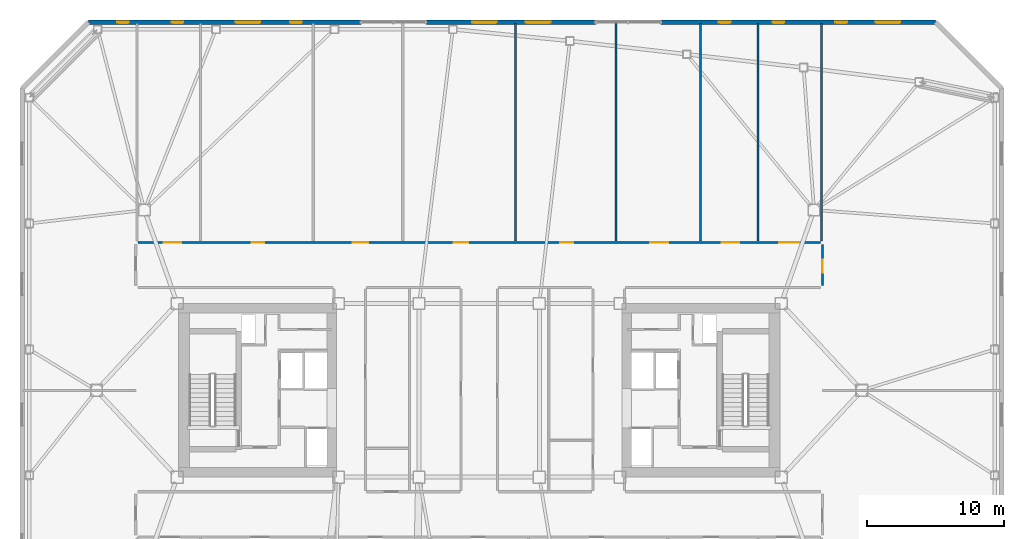
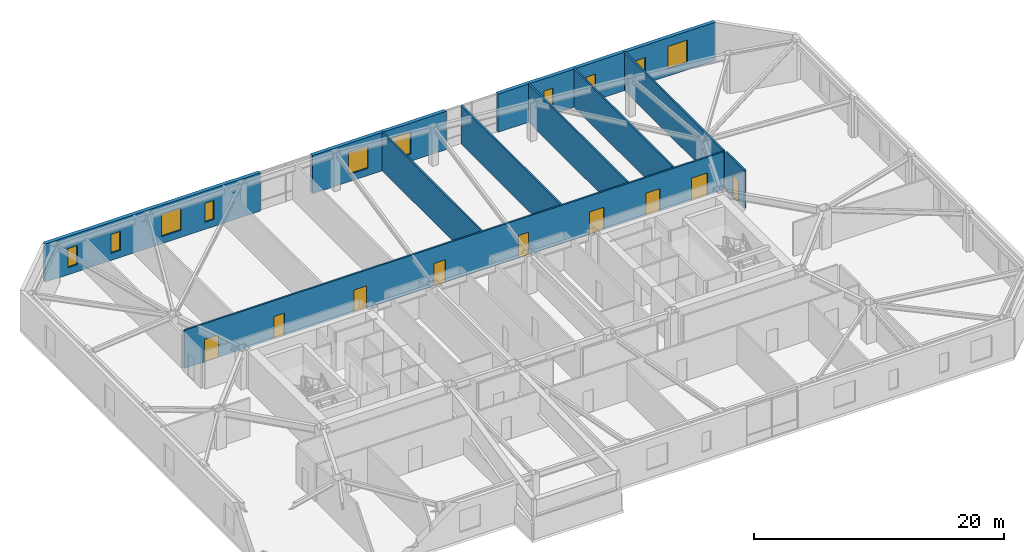
# One storey, part 12 of 17: 10 walls, 10 windows, 9 doors, 19 openings.
"""IFC4 building model written with IfcOpenShell, lengths in metres."""

from ifc_helpers import new_model, si_unit, direction, frame, frame_2d, origin, place, context, subcontext, project, spatial, rectangle, extrude, material, layer, layer_set, type_object, element, fill, save


model = new_model("IFC4")

# Units and contexts
model_context = context("Model", 3, precision=1e-05, world=origin(), true_north=direction((0.0, 1.0)))
body_context = subcontext(model_context, "Body", "Model", "MODEL_VIEW")
ifc_project = project(units=[si_unit("LENGTHUNIT", "METRE"), si_unit("AREAUNIT", "SQUARE_METRE"), si_unit("VOLUMEUNIT", "CUBIC_METRE"), si_unit("PLANEANGLEUNIT", "RADIAN"), si_unit("MASSUNIT", "GRAM", prefix="KILO")], contexts=[model_context])

# Site, building, storey
site_placement = place(None, origin())
site = spatial("IfcSite", under=ifc_project, at=site_placement, CompositionType="ELEMENT")
building_placement = place(site_placement, origin())
building = spatial("IfcBuilding", under=site, at=building_placement, Name="Tavrogorsk Clinical Tower", CompositionType="ELEMENT")
storey_placement = place(building_placement, frame((0.0, 0.0, 160.199951171875)))
storey = spatial("IfcBuildingStorey", under=building, at=storey_placement, Name="L36", CompositionType="ELEMENT", Elevation=160.199951171875)

# Wall, openings, doors
ifc_material_1 = material(Name="Lightweight concrete blockwork B15", Category="masonry")
ifc_layer_1 = layer(ifc_material_1, 0.159912109375)
ifc_layer_set_1 = layer_set([ifc_layer_1], Name="Lightweight concrete blockwork B15")
wall_type_1 = type_object("IfcWallType", Name="PartitionWall_160", PredefinedType="PARTITIONING", material=ifc_layer_set_1)
wall_1_placement = place(storey_placement, frame((-24.965087890625, 10.830078125, 0.0), z_axis=(0.0, 0.0, 1.0), x_axis=(1.0, 0.0, 0.0)))
wall_1 = element("IfcWall", 1, at=wall_1_placement, inside=storey, type_object=wall_type_1, Name="L36 Corridor Partition 07", PredefinedType="PARTITIONING", context=body_context, shape_type="SweptSolid", body=[
    extrude(rectangle(XDim=49.93017578125, YDim=0.159912109375, at=frame_2d((24.965087890625, 0.0))), origin(), (0.0, 0.0, 1.0), 3.739990234375),
])
opening_1_placement = place(wall_1_placement, frame((1.869140625, 0.0, 0.0)))
opening_1 = element("IfcOpeningElement", 2, at=opening_1_placement, cuts=wall_1, Name="Opening ID-01", PredefinedType="OPENING", context=body_context, shape_type="SweptSolid", body=[
    extrude(rectangle(XDim=1.300048828125, YDim=2.199951171875, at=frame_2d((0.64990234375, 1.10009765625))), frame((0.0, 0.08984375, 0.0), z_axis=(0.0, -1.0, 0.0), x_axis=(1.0, 0.0, 0.0)), (0.0, 0.0, 1.0), 0.179931640625),
])
opening_2_placement = place(wall_1_placement, frame((8.304931640625, 0.0, 0.0)))
opening_2 = element("IfcOpeningElement", 3, at=opening_2_placement, cuts=wall_1, Name="Opening ID-02", PredefinedType="OPENING", context=body_context, shape_type="SweptSolid", body=[
    extrude(rectangle(XDim=0.949951171875, YDim=2.199951171875, at=frame_2d((0.47509765625, 1.10009765625))), frame((0.0, 0.08984375, 0.0), z_axis=(0.0, -1.0, 0.0), x_axis=(1.0, 0.0, 0.0)), (0.0, 0.0, 1.0), 0.179931640625),
])
opening_3_placement = place(wall_1_placement, frame((15.705078125, 0.0, 0.0)))
opening_3 = element("IfcOpeningElement", 4, at=opening_3_placement, cuts=wall_1, Name="Opening ID-06", PredefinedType="OPENING", context=body_context, shape_type="SweptSolid", body=[
    extrude(rectangle(XDim=1.14990234375, YDim=2.199951171875, at=frame_2d((0.574951171875, 1.10009765625))), frame((0.0, 0.08984375, 0.0), z_axis=(0.0, -1.0, 0.0), x_axis=(1.0, 0.0, 0.0)), (0.0, 0.0, 1.0), 0.179931640625),
])
opening_4_placement = place(wall_1_placement, frame((23.10009765625, 0.0, 0.0)))
opening_4 = element("IfcOpeningElement", 5, at=opening_4_placement, cuts=wall_1, Name="Opening ID-04", PredefinedType="OPENING", context=body_context, shape_type="SweptSolid", body=[
    extrude(rectangle(XDim=1.050048828125, YDim=2.199951171875, at=frame_2d((0.52490234375, 1.10009765625))), frame((0.0, 0.08984375, 0.0), z_axis=(0.0, -1.0, 0.0), x_axis=(1.0, 0.0, 0.0)), (0.0, 0.0, 1.0), 0.179931640625),
])
opening_5_placement = place(wall_1_placement, frame((30.89990234375, 0.0, 0.0)))
opening_5 = element("IfcOpeningElement", 6, at=opening_5_placement, cuts=wall_1, Name="Opening ID-02", PredefinedType="OPENING", context=body_context, shape_type="SweptSolid", body=[
    extrude(rectangle(XDim=0.949951171875, YDim=2.199951171875, at=frame_2d((0.47509765625, 1.10009765625))), frame((0.0, 0.08984375, 0.0), z_axis=(0.0, -1.0, 0.0), x_axis=(1.0, 0.0, 0.0)), (0.0, 0.0, 1.0), 0.179931640625),
])
opening_6_placement = place(wall_1_placement, frame((37.4951171875, 0.0, 0.0)))
opening_6 = element("IfcOpeningElement", 7, at=opening_6_placement, cuts=wall_1, Name="Opening ID-01", PredefinedType="OPENING", context=body_context, shape_type="SweptSolid", body=[
    extrude(rectangle(XDim=1.300048828125, YDim=2.199951171875, at=frame_2d((0.64990234375, 1.10009765625))), frame((0.0, 0.08984375, 0.0), z_axis=(0.0, -1.0, 0.0), x_axis=(1.0, 0.0, 0.0)), (0.0, 0.0, 1.0), 0.179931640625),
])
opening_7_placement = place(wall_1_placement, frame((42.695068359375, 0.0, 0.0)))
opening_7 = element("IfcOpeningElement", 8, at=opening_7_placement, cuts=wall_1, Name="Opening ID-01", PredefinedType="OPENING", context=body_context, shape_type="SweptSolid", body=[
    extrude(rectangle(XDim=1.300048828125, YDim=2.199951171875, at=frame_2d((0.64990234375, 1.10009765625))), frame((0.0, 0.08984375, 0.0), z_axis=(0.0, -1.0, 0.0), x_axis=(1.0, 0.0, 0.0)), (0.0, 0.0, 1.0), 0.179931640625),
])
opening_8_placement = place(wall_1_placement, frame((46.930908203125, 0.0, 0.0)))
opening_8 = element("IfcOpeningElement", 9, at=opening_8_placement, cuts=wall_1, Name="Opening ID-05", PredefinedType="OPENING", context=body_context, shape_type="SweptSolid", body=[
    extrude(rectangle(XDim=1.449951171875, YDim=2.199951171875, at=frame_2d((0.72509765625, 1.10009765625))), frame((0.0, 0.08984375, 0.0), z_axis=(0.0, -1.0, 0.0), x_axis=(1.0, 0.0, 0.0)), (0.0, 0.0, 1.0), 0.179931640625),
])
ifc_material_2 = material(Name="Antibacterial HPL consultation door on aluminium frame", Category="aluminium")
door_type_1 = type_object("IfcDoorType", Name="ConsultDoor_ID04_1050", OperationType="NOTDEFINED", PredefinedType="DOOR", material=ifc_material_2)
door_1_placement = place(opening_4_placement, origin())
door_1 = element("IfcDoor", 10, at=door_1_placement, inside=storey, type_object=door_type_1, Name="L36 North Patient & Family Quiet Lounge 03A Door", OperationType="SINGLE_SWING_RIGHT", OverallHeight=2.199951171875, OverallWidth=1.050048828125, PredefinedType="DOOR", context=body_context, shape_type="SweptSolid", body=[
    extrude(rectangle(XDim=1.050048828125, YDim=2.199951171875, at=frame_2d((0.52490234375, 1.10009765625))), frame((0.0, 0.02490234375, 0.0), z_axis=(0.0, -1.0, 0.0), x_axis=(1.0, 0.0, 0.0)), (0.0, 0.0, 1.0), 0.050048828125),
])
fill(opening_4, door_1)
ifc_material_3 = material(Name="Antibacterial HPL bariatric ward double door")
door_type_2 = type_object("IfcDoorType", Name="DoubleWardDoor_ID05_1450", OperationType="DOUBLE_SWING_LEFT", PredefinedType="DOOR", material=ifc_material_3)
door_2_placement = place(opening_8_placement, origin())
door_2 = element("IfcDoor", 11, at=door_2_placement, inside=storey, type_object=door_type_2, Name="L36 North Sub-Acute Recovery Ward 05 Door", OperationType="DOUBLE_SWING_LEFT", OverallHeight=2.199951171875, OverallWidth=1.449951171875, PredefinedType="DOOR", context=body_context, shape_type="SweptSolid", body=[
    extrude(rectangle(XDim=1.449951171875, YDim=2.199951171875, at=frame_2d((0.72509765625, 1.10009765625))), frame((0.0, 0.02490234375, 0.0), z_axis=(0.0, -1.0, 0.0), x_axis=(1.0, 0.0, 0.0)), (0.0, 0.0, 1.0), 0.050048828125),
])
fill(opening_8, door_2)
ifc_material_4 = material(Name="Laminated timber leaf on aluminium frame", Category="wood")
door_type_3 = type_object("IfcDoorType", Name="InteriorDoor_ID02_950", OperationType="NOTDEFINED", PredefinedType="DOOR", material=ifc_material_4)
door_3_placement = place(opening_2_placement, origin())
door_3 = element("IfcDoor", 12, at=door_3_placement, inside=storey, type_object=door_type_3, Name="L36 North Physician Consultation Office 02A Door", OperationType="SINGLE_SWING_RIGHT", OverallHeight=2.199951171875, OverallWidth=0.949951171875, PredefinedType="DOOR", context=body_context, shape_type="SweptSolid", body=[
    extrude(rectangle(XDim=0.949951171875, YDim=2.199951171875, at=frame_2d((0.47509765625, 1.10009765625))), frame((0.0, 0.02490234375, 0.0), z_axis=(0.0, -1.0, 0.0), x_axis=(1.0, 0.0, 0.0)), (0.0, 0.0, 1.0), 0.050048828125),
])
fill(opening_2, door_3)
door_4_placement = place(opening_5_placement, origin())
door_4 = element("IfcDoor", 13, at=door_4_placement, inside=storey, type_object=door_type_3, Name="L36 North Physiotherapy Rehab Studio 03B Door", OperationType="SINGLE_SWING_LEFT", OverallHeight=2.199951171875, OverallWidth=0.949951171875, PredefinedType="DOOR", context=body_context, shape_type="SweptSolid", body=[
    extrude(rectangle(XDim=0.949951171875, YDim=2.199951171875, at=frame_2d((0.47509765625, 1.10009765625))), frame((0.0, 0.02490234375, 0.0), z_axis=(0.0, -1.0, 0.0), x_axis=(1.0, 0.0, 0.0)), (0.0, 0.0, 1.0), 0.050048828125),
])
fill(opening_5, door_4)
ifc_material_5 = material(Name="Antibacterial HPL procedure door on aluminium frame", Category="aluminium")
door_type_4 = type_object("IfcDoorType", Name="LabDoor_ID06_1150", OperationType="NOTDEFINED", PredefinedType="DOOR", material=ifc_material_5)
door_5_placement = place(opening_3_placement, origin())
door_5 = element("IfcDoor", 14, at=door_5_placement, inside=storey, type_object=door_type_4, Name="L36 North Diagnostic Ultrasound Suite 02B Door", OperationType="SINGLE_SWING_LEFT", OverallHeight=2.199951171875, OverallWidth=1.14990234375, PredefinedType="DOOR", context=body_context, shape_type="SweptSolid", body=[
    extrude(rectangle(XDim=1.14990234375, YDim=2.199951171875, at=frame_2d((0.574951171875, 1.10009765625))), frame((0.0, 0.02490234375, 0.0), z_axis=(0.0, -1.0, 0.0), x_axis=(1.0, 0.0, 0.0)), (0.0, 0.0, 1.0), 0.050048828125),
])
fill(opening_3, door_5)
ifc_material_6 = material(Name="Antibacterial HPL medical leaf on aluminium frame", Category="aluminium")
door_type_5 = type_object("IfcDoorType", Name="WardBedDoor_ID01_1300", OperationType="NOTDEFINED", PredefinedType="DOOR", material=ifc_material_6)
door_6_placement = place(opening_1_placement, origin())
door_6 = element("IfcDoor", 15, at=door_6_placement, inside=storey, type_object=door_type_5, Name="L36 North Step-Down Telemetry Ward 01 Door", OperationType="SINGLE_SWING_LEFT", OverallHeight=2.199951171875, OverallWidth=1.300048828125, PredefinedType="DOOR", context=body_context, shape_type="SweptSolid", body=[
    extrude(rectangle(XDim=1.300048828125, YDim=2.199951171875, at=frame_2d((0.64990234375, 1.10009765625))), frame((0.0, 0.02490234375, 0.0), z_axis=(0.0, -1.0, 0.0), x_axis=(1.0, 0.0, 0.0)), (0.0, 0.0, 1.0), 0.050048828125),
])
fill(opening_1, door_6)
door_7_placement = place(opening_6_placement, origin())
door_7 = element("IfcDoor", 16, at=door_7_placement, inside=storey, type_object=door_type_5, Name="L36 North Acute Isolation Suite 04A Door", OperationType="SINGLE_SWING_RIGHT", OverallHeight=2.199951171875, OverallWidth=1.300048828125, PredefinedType="DOOR", context=body_context, shape_type="SweptSolid", body=[
    extrude(rectangle(XDim=1.300048828125, YDim=2.199951171875, at=frame_2d((0.64990234375, 1.10009765625))), frame((0.0, 0.02490234375, 0.0), z_axis=(0.0, -1.0, 0.0), x_axis=(1.0, 0.0, 0.0)), (0.0, 0.0, 1.0), 0.050048828125),
])
fill(opening_6, door_7)
door_8_placement = place(opening_7_placement, origin())
door_8 = element("IfcDoor", 17, at=door_8_placement, inside=storey, type_object=door_type_5, Name="L36 North Step-Down Telemetry Ward 04B Door", OperationType="SINGLE_SWING_LEFT", OverallHeight=2.199951171875, OverallWidth=1.300048828125, PredefinedType="DOOR", context=body_context, shape_type="SweptSolid", body=[
    extrude(rectangle(XDim=1.300048828125, YDim=2.199951171875, at=frame_2d((0.64990234375, 1.10009765625))), frame((0.0, 0.02490234375, 0.0), z_axis=(0.0, -1.0, 0.0), x_axis=(1.0, 0.0, 0.0)), (0.0, 0.0, 1.0), 0.050048828125),
])
fill(opening_7, door_8)

# Wall, opening, door
wall_2_placement = place(storey_placement, frame((25.1298828125, 10.6650390625, 0.0), z_axis=(0.0, 0.0, 1.0), x_axis=(0.0, -1.0, 0.0)))
wall_2 = element("IfcWall", 18, at=wall_2_placement, inside=storey, type_object=wall_type_1, Name="L36 Corridor Partition 08", PredefinedType="PARTITIONING", context=body_context, shape_type="SweptSolid", body=[
    extrude(rectangle(XDim=2.97998046875, YDim=0.159912109375, at=frame_2d((1.489990234375, 0.0))), origin(), (0.0, 0.0, 1.0), 3.739990234375),
])
opening_9_placement = place(wall_2_placement, frame((1.10009765625, 0.0, 0.0)))
opening_9 = element("IfcOpeningElement", 19, at=opening_9_placement, cuts=wall_2, Name="Opening ID-02", PredefinedType="OPENING", context=body_context, shape_type="SweptSolid", body=[
    extrude(rectangle(XDim=0.949951171875, YDim=2.199951171875, at=frame_2d((0.47509765625, 1.10009765625))), frame((0.0, 0.08984375, 0.0), z_axis=(0.0, -1.0, 0.0), x_axis=(1.0, 0.0, 0.0)), (0.0, 0.0, 1.0), 0.179931640625),
])
door_9_placement = place(opening_9_placement, origin())
door_9 = element("IfcDoor", 20, at=door_9_placement, inside=storey, type_object=door_type_3, Name="L36 E Multidisciplinary Seminar Suite 2 Door", OperationType="SINGLE_SWING_LEFT", OverallHeight=2.199951171875, OverallWidth=0.949951171875, PredefinedType="DOOR", context=body_context, shape_type="SweptSolid", body=[
    extrude(rectangle(XDim=0.949951171875, YDim=2.199951171875, at=frame_2d((0.47509765625, 1.10009765625))), frame((0.0, 0.02490234375, 0.0), z_axis=(0.0, -1.0, 0.0), x_axis=(1.0, 0.0, 0.0)), (0.0, 0.0, 1.0), 0.050048828125),
])
fill(opening_9, door_9)

# Walls
for number, where, z_axis, x_axis, name in (
    (21, (25.050048828125, 10.9150390625, 0.0), (0.0, 0.0, 1.0), (0.0, 1.0, 0.0), "L36 NE Wing Closure Partition"),
    (22, (10.0, 10.9150390625, 0.0), (0.0, 0.0, 1.0), (0.0, 1.0, 0.0), "L36 North Room Partition 3"),
    (23, (20.39990234375, 10.9150390625, 0.0), (0.0, 0.0, 1.0), (0.0, 1.0, 0.0), "L36 North Room Partition 4"),
    (24, (2.64990234375, 10.9150390625, 0.0), (0.0, 0.0, 1.0), (0.0, 1.0, 0.0), "L36 North Sub-Partition 3"),
    (25, (16.18994140625, 10.9150390625, 0.0), (0.0, 0.0, 1.0), (0.0, 1.0, 0.0), "L36 North Sub-Partition 4"),
):
    element("IfcWall", number, at=place(storey_placement, frame(where, z_axis=z_axis, x_axis=x_axis)), inside=storey, type_object=wall_type_1, Name=name, PredefinedType="PARTITIONING", context=body_context, shape_type="SweptSolid", body=[
        extrude(rectangle(XDim=15.945068359375, YDim=0.159912109375, at=frame_2d((7.97265625, 0.0))), origin(), (0.0, 0.0, 1.0), 3.739990234375),
    ])

# Wall, openings, windows
ifc_material_7 = material(Name="Precast concrete B45 with limestone cladding", Category="masonry")
ifc_layer_2 = layer(ifc_material_7, 0.340087890625)
ifc_layer_set_2 = layer_set([ifc_layer_2], Name="Precast concrete B45 with limestone cladding")
wall_type_2 = type_object("IfcWallType", Name="PrecastLimestoneWall_340", PredefinedType="STANDARD", material=ifc_layer_set_2)
wall_3_placement = place(storey_placement, frame((33.39990234375, 26.929931640625, 0.0), z_axis=(0.0, 0.0, 1.0), x_axis=(-1.0, 0.0, 0.0)))
wall_3 = element("IfcWall", 26, at=wall_3_placement, inside=storey, type_object=wall_type_2, Name="L36 N Limestone Facade Wall 1", PredefinedType="STANDARD", context=body_context, shape_type="SweptSolid", body=[
    extrude(rectangle(XDim=20.08984375, YDim=0.340087890625, at=frame_2d((10.044921875, 0.0))), origin(), (0.0, 0.0, 1.0), 3.739990234375),
])
opening_10_placement = place(wall_3_placement, frame((15.0048828125, 0.0, 0.699951171875)))
opening_10 = element("IfcOpeningElement", 27, at=opening_10_placement, cuts=wall_3, Name="Opening WN-06", PredefinedType="OPENING", context=body_context, shape_type="SweptSolid", body=[
    extrude(rectangle(XDim=0.85009765625, YDim=1.85009765625, at=frame_2d((0.425048828125, 0.925048828125))), frame((0.0, 0.179931640625, 0.0), z_axis=(0.0, -1.0, 0.0), x_axis=(1.0, 0.0, 0.0)), (0.0, 0.0, 1.0), 0.360107421875),
])
opening_11_placement = place(wall_3_placement, frame((11.0712890625, 0.0, 0.699951171875)))
opening_11 = element("IfcOpeningElement", 28, at=opening_11_placement, cuts=wall_3, Name="Opening WN-06", PredefinedType="OPENING", context=body_context, shape_type="SweptSolid", body=[
    extrude(rectangle(XDim=0.85009765625, YDim=1.85009765625, at=frame_2d((0.425048828125, 0.925048828125))), frame((0.0, 0.179931640625, 0.0), z_axis=(0.0, -1.0, 0.0), x_axis=(1.0, 0.0, 0.0)), (0.0, 0.0, 1.0), 0.360107421875),
])
opening_12_placement = place(wall_3_placement, frame((6.479736328125, 0.0, 0.699951171875)))
opening_12 = element("IfcOpeningElement", 29, at=opening_12_placement, cuts=wall_3, Name="Opening WN-06", PredefinedType="OPENING", context=body_context, shape_type="SweptSolid", body=[
    extrude(rectangle(XDim=0.85009765625, YDim=1.85009765625, at=frame_2d((0.425048828125, 0.925048828125))), frame((0.0, 0.179931640625, 0.0), z_axis=(0.0, -1.0, 0.0), x_axis=(1.0, 0.0, 0.0)), (0.0, 0.0, 1.0), 0.360107421875),
])
opening_13_placement = place(wall_3_placement, frame((2.591064453125, 0.0, 0.699951171875)))
opening_13 = element("IfcOpeningElement", 30, at=opening_13_placement, cuts=wall_3, Name="Opening WN-04", PredefinedType="OPENING", context=body_context, shape_type="SweptSolid", body=[
    extrude(rectangle(XDim=1.800048828125, YDim=2.199951171875, at=frame_2d((0.89990234375, 1.10009765625))), frame((0.0, 0.179931640625, 0.0), z_axis=(0.0, -1.0, 0.0), x_axis=(1.0, 0.0, 0.0)), (0.0, 0.0, 1.0), 0.360107421875),
])
ifc_material_8 = material(Name="Thermally broken aluminium frame and triple IGU", Category="aluminium")
window_type_1 = type_object("IfcWindowType", Name="IsolationWin_1800x2200", PartitioningType="SINGLE_PANEL", PredefinedType="WINDOW", material=ifc_material_8)
window_1_placement = place(opening_13_placement, origin())
window_1 = element("IfcWindow", 31, at=window_1_placement, inside=storey, type_object=window_type_1, Name="L36 N Chicago Window 10", OverallHeight=2.199951171875, OverallWidth=1.800048828125, PartitioningType="SINGLE_PANEL", PredefinedType="WINDOW", context=body_context, shape_type="SweptSolid", body=[
    extrude(rectangle(XDim=1.800048828125, YDim=2.199951171875, at=frame_2d((0.89990234375, 1.10009765625))), frame((0.0, 0.030029296875, 0.0), z_axis=(0.0, -1.0, 0.0), x_axis=(1.0, 0.0, 0.0)), (0.0, 0.0, 1.0), 0.06005859375),
])
fill(opening_13, window_1)
ifc_material_9 = material(Name="Thermally broken aluminium frame and triple IGU", Category="aluminium")
window_type_2 = type_object("IfcWindowType", Name="MullionSubWin_850x1850", PartitioningType="SINGLE_PANEL", PredefinedType="WINDOW", material=ifc_material_9)
window_2_placement = place(opening_10_placement, origin())
window_2 = element("IfcWindow", 32, at=window_2_placement, inside=storey, type_object=window_type_2, Name="L36 N Mullion Split Window 07A", OverallHeight=1.85009765625, OverallWidth=0.85009765625, PartitioningType="SINGLE_PANEL", PredefinedType="WINDOW", context=body_context, shape_type="SweptSolid", body=[
    extrude(rectangle(XDim=0.85009765625, YDim=1.85009765625, at=frame_2d((0.425048828125, 0.925048828125))), frame((0.0, 0.030029296875, 0.0), z_axis=(0.0, -1.0, 0.0), x_axis=(1.0, 0.0, 0.0)), (0.0, 0.0, 1.0), 0.06005859375),
])
fill(opening_10, window_2)
window_3_placement = place(opening_11_placement, origin())
window_3 = element("IfcWindow", 33, at=window_3_placement, inside=storey, type_object=window_type_2, Name="L36 N Mullion Split Window 08A", OverallHeight=1.85009765625, OverallWidth=0.85009765625, PartitioningType="SINGLE_PANEL", PredefinedType="WINDOW", context=body_context, shape_type="SweptSolid", body=[
    extrude(rectangle(XDim=0.85009765625, YDim=1.85009765625, at=frame_2d((0.425048828125, 0.925048828125))), frame((0.0, 0.030029296875, 0.0), z_axis=(0.0, -1.0, 0.0), x_axis=(1.0, 0.0, 0.0)), (0.0, 0.0, 1.0), 0.06005859375),
])
fill(opening_11, window_3)
window_4_placement = place(opening_12_placement, origin())
window_4 = element("IfcWindow", 34, at=window_4_placement, inside=storey, type_object=window_type_2, Name="L36 N Mullion Split Window 09A", OverallHeight=1.85009765625, OverallWidth=0.85009765625, PartitioningType="SINGLE_PANEL", PredefinedType="WINDOW", context=body_context, shape_type="SweptSolid", body=[
    extrude(rectangle(XDim=0.85009765625, YDim=1.85009765625, at=frame_2d((0.425048828125, 0.925048828125))), frame((0.0, 0.030029296875, 0.0), z_axis=(0.0, -1.0, 0.0), x_axis=(1.0, 0.0, 0.0)), (0.0, 0.0, 1.0), 0.06005859375),
])
fill(opening_12, window_4)

wall_4_placement = place(storey_placement, frame((8.510009765625, 26.929931640625, 0.0), z_axis=(0.0, 0.0, 1.0), x_axis=(-1.0, 0.0, 0.0)))
wall_4 = element("IfcWall", 35, at=wall_4_placement, inside=storey, type_object=wall_type_2, Name="L36 N Limestone Facade Wall 2", PredefinedType="STANDARD", context=body_context, shape_type="SweptSolid", body=[
    extrude(rectangle(XDim=12.372802734375, YDim=0.340087890625, at=frame_2d((6.1865234375, 0.0))), origin(), (0.0, 0.0, 1.0), 3.739990234375),
])
opening_14_placement = place(wall_4_placement, frame((7.228759765625, 0.0, 0.699951171875)))
opening_14 = element("IfcOpeningElement", 36, at=opening_14_placement, cuts=wall_4, Name="Opening WN-04", PredefinedType="OPENING", context=body_context, shape_type="SweptSolid", body=[
    extrude(rectangle(XDim=1.800048828125, YDim=2.199951171875, at=frame_2d((0.89990234375, 1.10009765625))), frame((0.0, 0.179931640625, 0.0), z_axis=(0.0, -1.0, 0.0), x_axis=(1.0, 0.0, 0.0)), (0.0, 0.0, 1.0), 0.360107421875),
])
opening_15_placement = place(wall_4_placement, frame((3.28857421875, 0.0, 0.699951171875)))
opening_15 = element("IfcOpeningElement", 37, at=opening_15_placement, cuts=wall_4, Name="Opening WN-04", PredefinedType="OPENING", context=body_context, shape_type="SweptSolid", body=[
    extrude(rectangle(XDim=1.800048828125, YDim=2.199951171875, at=frame_2d((0.89990234375, 1.10009765625))), frame((0.0, 0.179931640625, 0.0), z_axis=(0.0, -1.0, 0.0), x_axis=(1.0, 0.0, 0.0)), (0.0, 0.0, 1.0), 0.360107421875),
])
window_5_placement = place(opening_14_placement, origin())
window_5 = element("IfcWindow", 38, at=window_5_placement, inside=storey, type_object=window_type_1, Name="L36 N Chicago Window 05", OverallHeight=2.199951171875, OverallWidth=1.800048828125, PartitioningType="SINGLE_PANEL", PredefinedType="WINDOW", context=body_context, shape_type="SweptSolid", body=[
    extrude(rectangle(XDim=1.800048828125, YDim=2.199951171875, at=frame_2d((0.89990234375, 1.10009765625))), frame((0.0, 0.030029296875, 0.0), z_axis=(0.0, -1.0, 0.0), x_axis=(1.0, 0.0, 0.0)), (0.0, 0.0, 1.0), 0.06005859375),
])
fill(opening_14, window_5)
window_6_placement = place(opening_15_placement, origin())
window_6 = element("IfcWindow", 39, at=window_6_placement, inside=storey, type_object=window_type_1, Name="L36 N Chicago Window 06", OverallHeight=2.199951171875, OverallWidth=1.800048828125, PartitioningType="SINGLE_PANEL", PredefinedType="WINDOW", context=body_context, shape_type="SweptSolid", body=[
    extrude(rectangle(XDim=1.800048828125, YDim=2.199951171875, at=frame_2d((0.89990234375, 1.10009765625))), frame((0.0, 0.030029296875, 0.0), z_axis=(0.0, -1.0, 0.0), x_axis=(1.0, 0.0, 0.0)), (0.0, 0.0, 1.0), 0.06005859375),
])
fill(opening_15, window_6)

wall_5_placement = place(storey_placement, frame((-8.662841796875, 26.929931640625, 0.0), z_axis=(0.0, 0.0, 1.0), x_axis=(-1.0, 0.0, 0.0)))
wall_5 = element("IfcWall", 40, at=wall_5_placement, inside=storey, type_object=wall_type_2, Name="L36 N Limestone Facade Wall 3", PredefinedType="STANDARD", context=body_context, shape_type="SweptSolid", body=[
    extrude(rectangle(XDim=19.937255859375, YDim=0.340087890625, at=frame_2d((9.96875, 0.0))), origin(), (0.0, 0.0, 1.0), 3.739990234375),
])
opening_16_placement = place(wall_5_placement, frame((16.96826171875, 0.0, 0.699951171875)))
opening_16 = element("IfcOpeningElement", 41, at=opening_16_placement, cuts=wall_5, Name="Opening WN-06", PredefinedType="OPENING", context=body_context, shape_type="SweptSolid", body=[
    extrude(rectangle(XDim=0.85009765625, YDim=1.85009765625, at=frame_2d((0.425048828125, 0.925048828125))), frame((0.0, 0.179931640625, 0.0), z_axis=(0.0, -1.0, 0.0), x_axis=(1.0, 0.0, 0.0)), (0.0, 0.0, 1.0), 0.360107421875),
])
opening_17_placement = place(wall_5_placement, frame((12.9833984375, 0.0, 0.699951171875)))
opening_17 = element("IfcOpeningElement", 42, at=opening_17_placement, cuts=wall_5, Name="Opening WN-06", PredefinedType="OPENING", context=body_context, shape_type="SweptSolid", body=[
    extrude(rectangle(XDim=0.85009765625, YDim=1.85009765625, at=frame_2d((0.425048828125, 0.925048828125))), frame((0.0, 0.179931640625, 0.0), z_axis=(0.0, -1.0, 0.0), x_axis=(1.0, 0.0, 0.0)), (0.0, 0.0, 1.0), 0.360107421875),
])
opening_18_placement = place(wall_5_placement, frame((7.355224609375, 0.0, 0.699951171875)))
opening_18 = element("IfcOpeningElement", 43, at=opening_18_placement, cuts=wall_5, Name="Opening WN-04", PredefinedType="OPENING", context=body_context, shape_type="SweptSolid", body=[
    extrude(rectangle(XDim=1.800048828125, YDim=2.199951171875, at=frame_2d((0.89990234375, 1.10009765625))), frame((0.0, 0.179931640625, 0.0), z_axis=(0.0, -1.0, 0.0), x_axis=(1.0, 0.0, 0.0)), (0.0, 0.0, 1.0), 0.360107421875),
])
opening_19_placement = place(wall_5_placement, frame((4.320556640625, 0.0, 0.699951171875)))
opening_19 = element("IfcOpeningElement", 44, at=opening_19_placement, cuts=wall_5, Name="Opening WN-06", PredefinedType="OPENING", context=body_context, shape_type="SweptSolid", body=[
    extrude(rectangle(XDim=0.85009765625, YDim=1.85009765625, at=frame_2d((0.425048828125, 0.925048828125))), frame((0.0, 0.179931640625, 0.0), z_axis=(0.0, -1.0, 0.0), x_axis=(1.0, 0.0, 0.0)), (0.0, 0.0, 1.0), 0.360107421875),
])
window_7_placement = place(opening_18_placement, origin())
window_7 = element("IfcWindow", 45, at=window_7_placement, inside=storey, type_object=window_type_1, Name="L36 N Chicago Window 03", OverallHeight=2.199951171875, OverallWidth=1.800048828125, PartitioningType="SINGLE_PANEL", PredefinedType="WINDOW", context=body_context, shape_type="SweptSolid", body=[
    extrude(rectangle(XDim=1.800048828125, YDim=2.199951171875, at=frame_2d((0.89990234375, 1.10009765625))), frame((0.0, 0.030029296875, 0.0), z_axis=(0.0, -1.0, 0.0), x_axis=(1.0, 0.0, 0.0)), (0.0, 0.0, 1.0), 0.06005859375),
])
fill(opening_18, window_7)
window_8_placement = place(opening_16_placement, origin())
window_8 = element("IfcWindow", 46, at=window_8_placement, inside=storey, type_object=window_type_2, Name="L36 N Mullion Split Window 01B", OverallHeight=1.85009765625, OverallWidth=0.85009765625, PartitioningType="SINGLE_PANEL", PredefinedType="WINDOW", context=body_context, shape_type="SweptSolid", body=[
    extrude(rectangle(XDim=0.85009765625, YDim=1.85009765625, at=frame_2d((0.425048828125, 0.925048828125))), frame((0.0, 0.030029296875, 0.0), z_axis=(0.0, -1.0, 0.0), x_axis=(1.0, 0.0, 0.0)), (0.0, 0.0, 1.0), 0.06005859375),
])
fill(opening_16, window_8)
window_9_placement = place(opening_17_placement, origin())
window_9 = element("IfcWindow", 47, at=window_9_placement, inside=storey, type_object=window_type_2, Name="L36 N Mullion Split Window 02B", OverallHeight=1.85009765625, OverallWidth=0.85009765625, PartitioningType="SINGLE_PANEL", PredefinedType="WINDOW", context=body_context, shape_type="SweptSolid", body=[
    extrude(rectangle(XDim=0.85009765625, YDim=1.85009765625, at=frame_2d((0.425048828125, 0.925048828125))), frame((0.0, 0.030029296875, 0.0), z_axis=(0.0, -1.0, 0.0), x_axis=(1.0, 0.0, 0.0)), (0.0, 0.0, 1.0), 0.06005859375),
])
fill(opening_17, window_9)
window_10_placement = place(opening_19_placement, origin())
window_10 = element("IfcWindow", 48, at=window_10_placement, inside=storey, type_object=window_type_2, Name="L36 N Mullion Split Window 04B", OverallHeight=1.85009765625, OverallWidth=0.85009765625, PartitioningType="SINGLE_PANEL", PredefinedType="WINDOW", context=body_context, shape_type="SweptSolid", body=[
    extrude(rectangle(XDim=0.85009765625, YDim=1.85009765625, at=frame_2d((0.425048828125, 0.925048828125))), frame((0.0, 0.030029296875, 0.0), z_axis=(0.0, -1.0, 0.0), x_axis=(1.0, 0.0, 0.0)), (0.0, 0.0, 1.0), 0.06005859375),
])
fill(opening_19, window_10)

save(model, "model.ifc")
